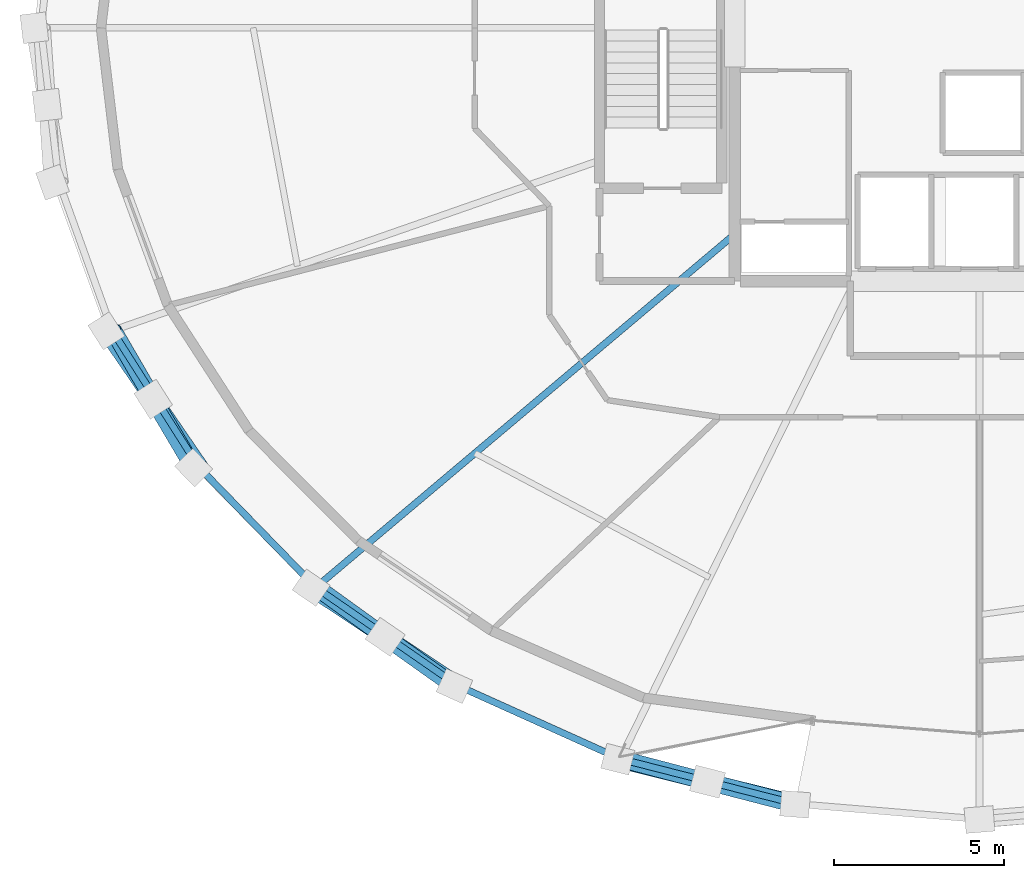
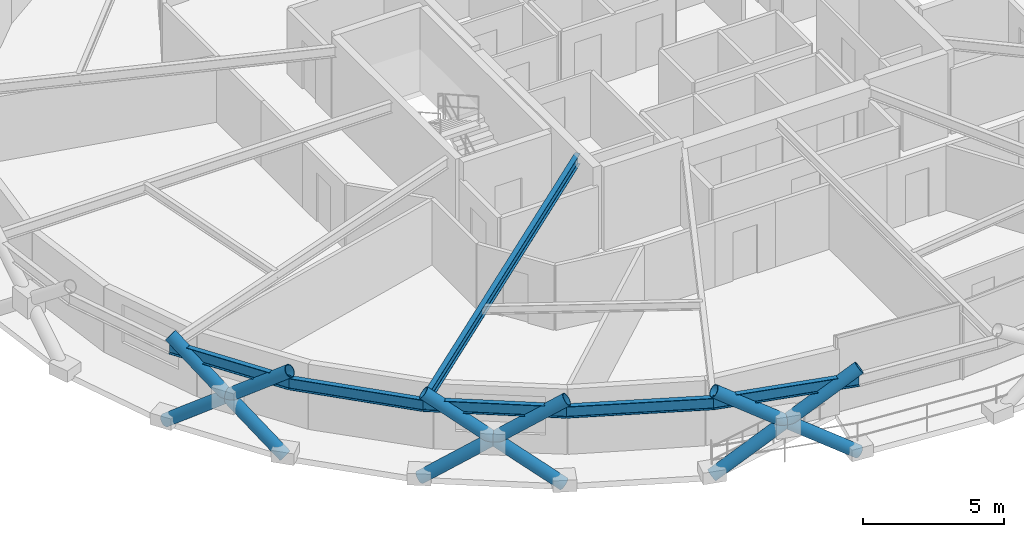
# One storey, part 1 of 17: 9 members, 6 beams.
"""IFC4 building model written with IfcOpenShell, lengths in metres."""

from ifc_helpers import new_model, si_unit, direction, frame, origin, origin_2d, place, context, subcontext, project, spatial, hollow_circle, i_section, extrude, material, material_profile, profile_set, type_object, element, save


model = new_model("IFC4")

# Units and contexts
model_context = context("Model", 3, precision=1e-05, world=origin(), true_north=direction((0.0, 1.0)))
body_context = subcontext(model_context, "Body", "Model", "MODEL_VIEW")
ifc_project = project(units=[si_unit("LENGTHUNIT", "METRE"), si_unit("AREAUNIT", "SQUARE_METRE"), si_unit("VOLUMEUNIT", "CUBIC_METRE"), si_unit("PLANEANGLEUNIT", "RADIAN"), si_unit("MASSUNIT", "GRAM", prefix="KILO")], contexts=[model_context])

# Site, building, storey
site_placement = place(None, origin())
site = spatial("IfcSite", under=ifc_project, at=site_placement, CompositionType="ELEMENT")
building_placement = place(site_placement, origin())
building = spatial("IfcBuilding", under=site, at=building_placement, Name="Veldorina Hangang Commons", CompositionType="ELEMENT")
storey_placement = place(building_placement, frame((0.0, 0.0, 178.39990234375)))
storey = spatial("IfcBuildingStorey", under=building, at=storey_placement, Name="L46", CompositionType="ELEMENT", Elevation=178.39990234375)

# Beams
ifc_material_1 = material(Name="Steel SM355-TMC", Category="steel")
ifc_material_profile_1 = material_profile(ifc_material_1, i_section(OverallWidth=0.199951171875, OverallDepth=0.449951171875, WebThickness=0.009033203125, FlangeThickness=0.013916015625, FilletRadius=0.01611328125, at=origin_2d()), Name="H-450x200x9x14")
ifc_profile_set_1 = profile_set([ifc_material_profile_1], Name="Steel SM355-TMC")
beam_type_1 = type_object("IfcBeamType", Name="BM-FG450", PredefinedType="BEAM", material=ifc_profile_set_1)
beam_1_placement = place(storey_placement, frame((24.800048828125, 17.92919921875, 3.125), z_axis=(-0.764510758787, -0.644610967715, 0.0), x_axis=(0.644610967715, -0.764510758787, 0.0)))
element("IfcBeam", 1, at=beam_1_placement, inside=storey, type_object=beam_type_1, Name="L46 radial floor girder 11", PredefinedType="BEAM", context=body_context, shape_type="SweptSolid", body=[
    extrude(i_section(OverallWidth=0.199951171875, OverallDepth=0.449951171875, WebThickness=0.009033203125, FlangeThickness=0.013916015625, FilletRadius=0.01611328125, at=origin_2d()), origin(), (0.0, 0.0, 1.0), 16.116455078125),
])
ifc_material_2 = material(Name="Steel SM420-TMC", Category="steel")
ifc_material_profile_2 = material_profile(ifc_material_2, i_section(OverallWidth=0.199951171875, OverallDepth=0.5, WebThickness=0.010009765625, FlangeThickness=0.01611328125, FilletRadius=0.01611328125, at=origin_2d()), Name="H-500x200x10x16")
ifc_profile_set_2 = profile_set([ifc_material_profile_2], Name="Steel SM420-TMC")
beam_type_2 = type_object("IfcBeamType", Name="BM-RB500", PredefinedType="BEAM", material=ifc_profile_set_2)
beam_2_placement = place(storey_placement, frame((6.494140625, 15.092041015625, 3.10009765625), z_axis=(0.535445761576, -0.844569616083, 0.0), x_axis=(0.844569616083, 0.535445761576, 0.0)))
element("IfcBeam", 2, at=beam_2_placement, inside=storey, type_object=beam_type_2, Name="L46 perimeter hoop ring beam 18", PredefinedType="BEAM", context=body_context, shape_type="SweptSolid", body=[
    extrude(i_section(OverallWidth=0.199951171875, OverallDepth=0.5, WebThickness=0.010009765625, FlangeThickness=0.01611328125, FilletRadius=0.01611328125, at=origin_2d()), origin(), (0.0, 0.0, 1.0), 4.7646484375),
])
beam_3_placement = place(storey_placement, frame((9.04541015625, 11.06787109375, 3.10009765625), z_axis=(0.69746994306, -0.716614037351, 0.0), x_axis=(0.716614037351, 0.69746994306, 0.0)))
element("IfcBeam", 3, at=beam_3_placement, inside=storey, type_object=beam_type_2, Name="L46 perimeter hoop ring beam 19", PredefinedType="BEAM", context=body_context, shape_type="SweptSolid", body=[
    extrude(i_section(OverallWidth=0.199951171875, OverallDepth=0.5, WebThickness=0.010009765625, FlangeThickness=0.01611328125, FilletRadius=0.01611328125, at=origin_2d()), origin(), (0.0, 0.0, 1.0), 4.922607421875),
])
beam_4_placement = place(storey_placement, frame((12.478759765625, 7.540283203125, 3.10009765625), z_axis=(0.822335555999, -0.56900284124, 0.0), x_axis=(0.56900284124, 0.822335555999, 0.0)))
element("IfcBeam", 4, at=beam_4_placement, inside=storey, type_object=beam_type_2, Name="L46 perimeter hoop ring beam 20", PredefinedType="BEAM", context=body_context, shape_type="SweptSolid", body=[
    extrude(i_section(OverallWidth=0.199951171875, OverallDepth=0.5, WebThickness=0.010009765625, FlangeThickness=0.01611328125, FilletRadius=0.01611328125, at=origin_2d()), origin(), (0.0, 0.0, 1.0), 5.08740234375),
])
beam_5_placement = place(storey_placement, frame((16.662353515625, 4.6455078125, 3.10009765625), z_axis=(0.911677889798, -0.410905615991, 0.0), x_axis=(0.410905615991, 0.911677889798, 0.0)))
element("IfcBeam", 5, at=beam_5_placement, inside=storey, type_object=beam_type_2, Name="L46 perimeter hoop ring beam 21", PredefinedType="BEAM", context=body_context, shape_type="SweptSolid", body=[
    extrude(i_section(OverallWidth=0.199951171875, OverallDepth=0.5, WebThickness=0.010009765625, FlangeThickness=0.01611328125, FilletRadius=0.01611328125, at=origin_2d()), origin(), (0.0, 0.0, 1.0), 5.235107421875),
])
beam_6_placement = place(storey_placement, frame((21.43505859375, 2.494384765625, 3.10009765625), z_axis=(0.968820043196, -0.247765461478, 0.0), x_axis=(0.247765461478, 0.968820043196, 0.0)))
element("IfcBeam", 6, at=beam_6_placement, inside=storey, type_object=beam_type_2, Name="L46 perimeter hoop ring beam 22", PredefinedType="BEAM", context=body_context, shape_type="SweptSolid", body=[
    extrude(i_section(OverallWidth=0.199951171875, OverallDepth=0.5, WebThickness=0.010009765625, FlangeThickness=0.01611328125, FilletRadius=0.01611328125, at=origin_2d()), origin(), (0.0, 0.0, 1.0), 5.345703125),
])

# Members
ifc_material_profile_3 = material_profile(ifc_material_2, hollow_circle(Radius=0.25, WallThickness=0.02490234375, at=origin_2d()), Name="CHS-500x25")
ifc_profile_set_3 = profile_set([ifc_material_profile_3], Name="Steel SM420-TMC")
member_type = type_object("IfcMemberType", Name="DG-CHS500", PredefinedType="BRACE", material=ifc_profile_set_3)
member_1_placement = place(storey_placement, frame((6.316650390625, 15.088134765625, 0.0), z_axis=(0.4546737108, -0.663453689144, 0.594223038151), x_axis=(0.82488305035, 0.565303416976, 0.0)))
element("IfcMember", 7, at=member_1_placement, inside=storey, type_object=member_type, Name="L46 continuous perimeter diagrid brace 18", PredefinedType="BRACE", context=body_context, shape_type="SweptSolid", body=[
    extrude(hollow_circle(Radius=0.25, WallThickness=0.02490234375, at=origin_2d()), origin(), (0.0, 0.0, 1.0), 6.05859375),
])
member_2_placement = place(storey_placement, frame((8.885498046875, 11.06201171875, 0.0), z_axis=(-0.40290023416, 0.68194564567, 0.610427340202), x_axis=(-0.86096393169, -0.508666008623, 0.0)))
element("IfcMember", 8, at=member_2_placement, inside=storey, type_object=member_type, Name="L46 split perimeter diagrid lower brace 19", PredefinedType="BRACE", context=body_context, shape_type="SweptSolid", body=[
    extrude(hollow_circle(Radius=0.25, WallThickness=0.02490234375, at=origin_2d()), origin(), (0.0, 0.0, 1.0), 2.952880859375),
])
member_3_placement = place(storey_placement, frame((7.69580078125, 13.07568359375, 1.802490234375), z_axis=(-0.398192130952, 0.684817524132, 0.610301552915), x_axis=(-0.864483924419, -0.502660466341, 0.0)))
element("IfcMember", 9, at=member_3_placement, inside=storey, type_object=member_type, Name="L46 split perimeter diagrid upper brace 19", PredefinedType="BRACE", context=body_context, shape_type="SweptSolid", body=[
    extrude(hollow_circle(Radius=0.25, WallThickness=0.02490234375, at=origin_2d()), origin(), (0.0, 0.0, 1.0), 2.945556640625),
])
member_4_placement = place(storey_placement, frame((12.3427734375, 7.532958984375, 0.0), z_axis=(0.684863587426, -0.455766056801, 0.56854126331), x_axis=(0.554018631447, 0.832504267862, 0.0)))
element("IfcMember", 10, at=member_4_placement, inside=storey, type_object=member_type, Name="L46 continuous perimeter diagrid brace 20", PredefinedType="BRACE", context=body_context, shape_type="SweptSolid", body=[
    extrude(hollow_circle(Radius=0.25, WallThickness=0.02490234375, at=origin_2d()), origin(), (0.0, 0.0, 1.0), 6.332275390625),
])
member_5_placement = place(storey_placement, frame((16.555419921875, 4.63671875, 0.0), z_axis=(-0.66080123505, 0.469874955829, 0.585285617149), x_axis=(-0.579500732718, -0.814971717779, 0.0)))
element("IfcMember", 11, at=member_5_placement, inside=storey, type_object=member_type, Name="L46 split perimeter diagrid lower brace 21", PredefinedType="BRACE", context=body_context, shape_type="SweptSolid", body=[
    extrude(hollow_circle(Radius=0.25, WallThickness=0.02490234375, at=origin_2d()), origin(), (0.0, 0.0, 1.0), 3.084228515625),
])
member_6_placement = place(storey_placement, frame((14.517333984375, 6.0859375, 1.80517578125), z_axis=(-0.657494644734, 0.47457422178, 0.585217993715), x_axis=(-0.585261146322, -0.810844862231, 0.0)))
element("IfcMember", 12, at=member_6_placement, inside=storey, type_object=member_type, Name="L46 split perimeter diagrid upper brace 21", PredefinedType="BRACE", context=body_context, shape_type="SweptSolid", body=[
    extrude(hollow_circle(Radius=0.25, WallThickness=0.02490234375, at=origin_2d()), origin(), (0.0, 0.0, 1.0), 3.067138671875),
])
member_7_placement = place(storey_placement, frame((21.361572265625, 2.48486328125, 0.0), z_axis=(0.808163623325, -0.201862681345, 0.553283847419), x_axis=(0.242334248689, 0.970192822027, 0.0)))
element("IfcMember", 13, at=member_7_placement, inside=storey, type_object=member_type, Name="L46 continuous perimeter diagrid brace 22", PredefinedType="BRACE", context=body_context, shape_type="SweptSolid", body=[
    extrude(hollow_circle(Radius=0.25, WallThickness=0.02490234375, at=origin_2d()), origin(), (0.0, 0.0, 1.0), 6.5068359375),
])
member_8_placement = place(storey_placement, frame((26.57666015625, 1.15966796875, 0.0), z_axis=(-0.800900537084, 0.207095418499, 0.561845011845), x_axis=(-0.250344263178, -0.968156882893, 0.0)))
element("IfcMember", 14, at=member_8_placement, inside=storey, type_object=member_type, Name="L46 split perimeter diagrid lower brace 23", PredefinedType="BRACE", context=body_context, shape_type="SweptSolid", body=[
    extrude(hollow_circle(Radius=0.25, WallThickness=0.02490234375, at=origin_2d()), origin(), (0.0, 0.0, 1.0), 3.216064453125),
])
member_9_placement = place(storey_placement, frame((24.0009765625, 1.82568359375, 1.806884765625), z_axis=(-0.80015503123, 0.210039739581, 0.56181423424), x_axis=(-0.253897047158, -0.967231249208, 0.0)))
element("IfcMember", 15, at=member_9_placement, inside=storey, type_object=member_type, Name="L46 split perimeter diagrid upper brace 23", PredefinedType="BRACE", context=body_context, shape_type="SweptSolid", body=[
    extrude(hollow_circle(Radius=0.25, WallThickness=0.02490234375, at=origin_2d()), origin(), (0.0, 0.0, 1.0), 3.19189453125),
])

save(model, "model.ifc")
